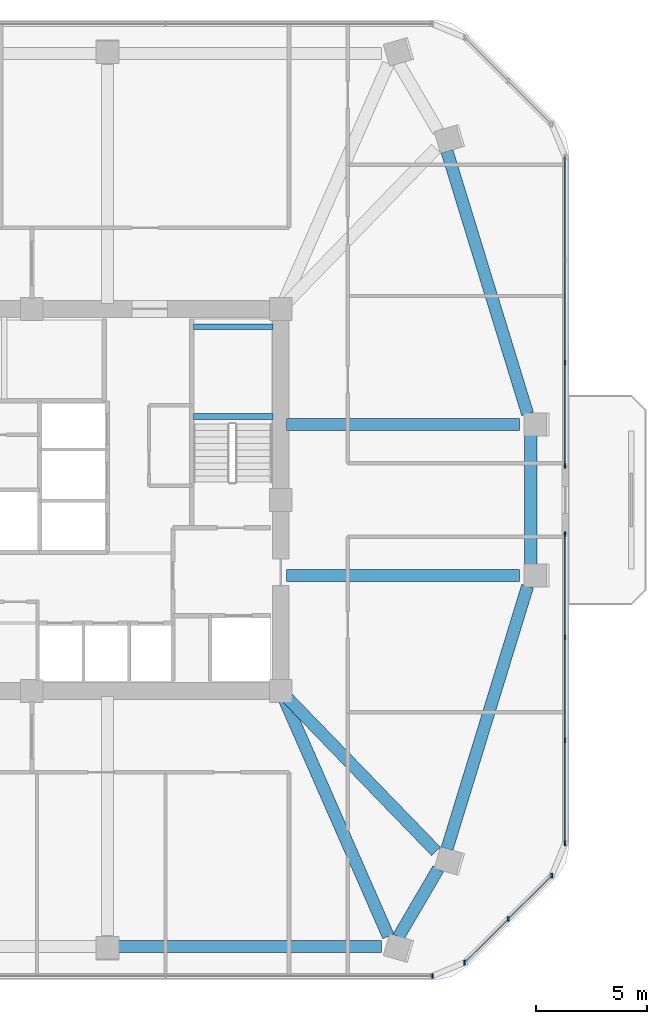
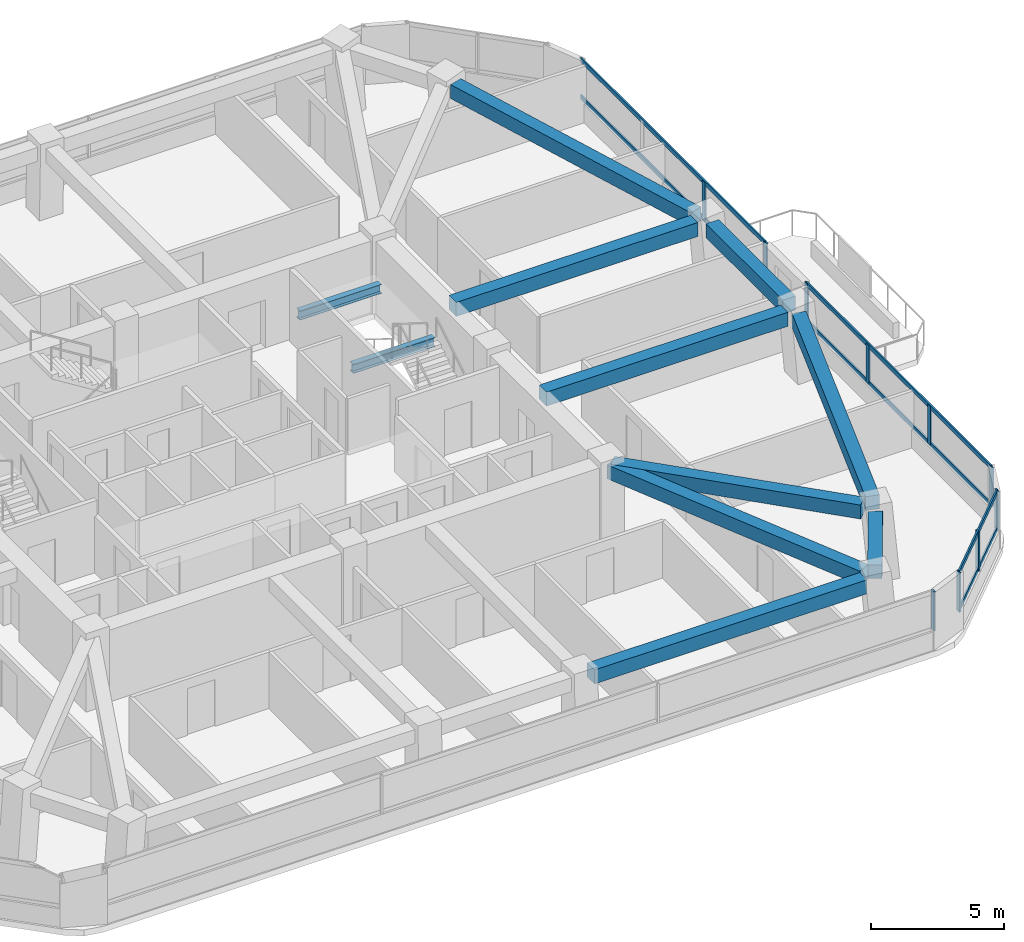
# One storey, part 5 of 14: 16 members, 11 beams, 4 elements without a shape of their own.
"""IFC4 building model written with IfcOpenShell, lengths in metres."""

from ifc_helpers import new_model, si_unit, derived_unit, direction, frame, origin, origin_2d, place, context, subcontext, project, spatial, rectangle, i_section, extrude, material, material_profile, profile_set, type_object, element, aggregate, save


model = new_model("IFC4")

# Units and contexts
model_context = context("Model", 3, precision=1e-05, world=origin(), true_north=direction((0.0, 1.0)))
body_context = subcontext(model_context, "Body", "Model", "MODEL_VIEW")
ifc_project = project(units=[si_unit("LENGTHUNIT", "METRE"), si_unit("AREAUNIT", "SQUARE_METRE"), si_unit("VOLUMEUNIT", "CUBIC_METRE"), si_unit("PLANEANGLEUNIT", "RADIAN"), si_unit("MASSUNIT", "GRAM", prefix="KILO"), derived_unit("THERMALTRANSMITTANCEUNIT", [(si_unit("POWERUNIT", "WATT"), 1), (si_unit("LENGTHUNIT", "METRE"), -2), (si_unit("THERMODYNAMICTEMPERATUREUNIT", "KELVIN"), -1)])], contexts=[model_context])

# Site, building, storey
site_placement = place(None, origin())
site = spatial("IfcSite", under=ifc_project, at=site_placement, CompositionType="ELEMENT")
building_placement = place(site_placement, origin())
building = spatial("IfcBuilding", under=site, at=building_placement, Name="Koralith Skygarden Medical Center", CompositionType="ELEMENT")
storey_placement = place(building_placement, frame((0.0, 0.0, 120.780029296875)))
storey = spatial("IfcBuildingStorey", under=building, at=storey_placement, Name="L31", CompositionType="ELEMENT", Elevation=120.780029296875)

# Curtain wall, member
ifc_material_1 = material(Name="Clear Laminated Glass", Category="glass")
curtain_wall_type = type_object("IfcCurtainWallType", Name="CW-3 Zone 2 Faceted Solar Curtain Wall", PredefinedType="NOTDEFINED", material=ifc_material_1)
curtain_wall_1_placement = place(storey_placement, origin())
curtain_wall_1 = element("IfcCurtainWall", 1, at=curtain_wall_1_placement, inside=storey, type_object=curtain_wall_type, Name="Curtain Wall CW-L31-S", PredefinedType="NOTDEFINED")
ifc_material_2 = material(Name="Aluminium 6063-T6", Category="aluminium")
ifc_material_profile_1 = material_profile(ifc_material_2, rectangle(XDim=0.073974609375, YDim=0.219970703125, at=origin_2d()), Name="MUL74X220")
ifc_profile_set_1 = profile_set([ifc_material_profile_1], Name="Aluminium 6063-T6")
member_type_1 = type_object("IfcMemberType", Name="CW-3 Extruded Mullion 74x220", PredefinedType="MULLION", material=ifc_profile_set_1)
member_1_placement = place(storey_placement, frame((55.02392578125, 4.47607421875, 0.849853515625), z_axis=(0.0, 0.0, 1.0), x_axis=(1.0, 0.0, 0.0)))
member_1 = element("IfcMember", 2, at=member_1_placement, type_object=member_type_1, Name="CW-L31-S Mullion 4", PredefinedType="MULLION", context=body_context, shape_type="SweptSolid", body=[
    extrude(rectangle(XDim=0.073974609375, YDim=0.219970703125, at=origin_2d()), origin(), (0.0, 0.0, 1.0), 1.800048828125),
])
aggregate(curtain_wall_1, [member_1])

# Curtain wall, members
curtain_wall_2_placement = place(storey_placement, origin())
curtain_wall_2 = element("IfcCurtainWall", 3, at=curtain_wall_2_placement, inside=storey, type_object=curtain_wall_type, Name="Curtain Wall CW-L31-SE", PredefinedType="NOTDEFINED")
member_2_placement = place(storey_placement, frame((56.47509765625, 5.077880859375, 0.849853515625), z_axis=(0.0, 0.0, 1.0), x_axis=(1.0, 0.0, 0.0)))
member_2 = element("IfcMember", 4, at=member_2_placement, type_object=member_type_1, Name="CW-L31-SE Mullion 1", PredefinedType="MULLION", context=body_context, shape_type="SweptSolid", body=[
    extrude(rectangle(XDim=0.073974609375, YDim=0.219970703125, at=origin_2d()), origin(), (0.0, 0.0, 1.0), 1.800048828125),
])
member_3_placement = place(storey_placement, frame((58.43701171875, 7.0400390625, 0.849853515625), z_axis=(0.0, 0.0, 1.0), x_axis=(1.0, 0.0, 0.0)))
member_3 = element("IfcMember", 5, at=member_3_placement, type_object=member_type_1, Name="CW-L31-SE Mullion 2", PredefinedType="MULLION", context=body_context, shape_type="SweptSolid", body=[
    extrude(rectangle(XDim=0.073974609375, YDim=0.219970703125, at=origin_2d()), origin(), (0.0, 0.0, 1.0), 1.800048828125),
])
member_4_placement = place(storey_placement, frame((60.39794921875, 9.0009765625, 0.849853515625), z_axis=(0.0, 0.0, 1.0), x_axis=(1.0, 0.0, 0.0)))
member_4 = element("IfcMember", 6, at=member_4_placement, type_object=member_type_1, Name="CW-L31-SE Mullion 3", PredefinedType="MULLION", context=body_context, shape_type="SweptSolid", body=[
    extrude(rectangle(XDim=0.073974609375, YDim=0.219970703125, at=origin_2d()), origin(), (0.0, 0.0, 1.0), 1.800048828125),
])

curtain_wall_3_placement = place(storey_placement, origin())
curtain_wall_3 = element("IfcCurtainWall", 7, at=curtain_wall_3_placement, inside=storey, type_object=curtain_wall_type, Name="Curtain Wall CW-L31-E-L", PredefinedType="NOTDEFINED")
member_5_placement = place(storey_placement, frame((60.9990234375, 10.451904296875, 0.849853515625), z_axis=(0.0, 0.0, 1.0), x_axis=(1.0, 0.0, 0.0)))
member_5 = element("IfcMember", 8, at=member_5_placement, type_object=member_type_1, Name="CW-L31-E-L Mullion 1", PredefinedType="MULLION", context=body_context, shape_type="SweptSolid", body=[
    extrude(rectangle(XDim=0.073974609375, YDim=0.219970703125, at=origin_2d()), origin(), (0.0, 0.0, 1.0), 1.800048828125),
])
member_6_placement = place(storey_placement, frame((60.9990234375, 15.087890625, 0.849853515625), z_axis=(0.0, 0.0, 1.0), x_axis=(1.0, 0.0, 0.0)))
member_6 = element("IfcMember", 9, at=member_6_placement, type_object=member_type_1, Name="CW-L31-E-L Mullion 2", PredefinedType="MULLION", context=body_context, shape_type="SweptSolid", body=[
    extrude(rectangle(XDim=0.073974609375, YDim=0.219970703125, at=origin_2d()), origin(), (0.0, 0.0, 1.0), 1.800048828125),
])
member_7_placement = place(storey_placement, frame((60.9990234375, 19.72412109375, 0.849853515625), z_axis=(0.0, 0.0, 1.0), x_axis=(1.0, 0.0, 0.0)))
member_7 = element("IfcMember", 10, at=member_7_placement, type_object=member_type_1, Name="CW-L31-E-L Mullion 3", PredefinedType="MULLION", context=body_context, shape_type="SweptSolid", body=[
    extrude(rectangle(XDim=0.073974609375, YDim=0.219970703125, at=origin_2d()), origin(), (0.0, 0.0, 1.0), 1.800048828125),
])
member_8_placement = place(storey_placement, frame((60.9990234375, 24.360107421875, 0.849853515625), z_axis=(0.0, 0.0, 1.0), x_axis=(1.0, 0.0, 0.0)))
member_8 = element("IfcMember", 11, at=member_8_placement, type_object=member_type_1, Name="CW-L31-E-L Mullion 4", PredefinedType="MULLION", context=body_context, shape_type="SweptSolid", body=[
    extrude(rectangle(XDim=0.073974609375, YDim=0.219970703125, at=origin_2d()), origin(), (0.0, 0.0, 1.0), 1.800048828125),
])

curtain_wall_4_placement = place(storey_placement, origin())
curtain_wall_4 = element("IfcCurtainWall", 12, at=curtain_wall_4_placement, inside=storey, type_object=curtain_wall_type, Name="Curtain Wall CW-L31-E-R", PredefinedType="NOTDEFINED")
member_9_placement = place(storey_placement, frame((60.9990234375, 27.43994140625, 0.849853515625), z_axis=(0.0, 0.0, 1.0), x_axis=(1.0, 0.0, 0.0)))
member_9 = element("IfcMember", 13, at=member_9_placement, type_object=member_type_1, Name="CW-L31-E-R Mullion 1", PredefinedType="MULLION", context=body_context, shape_type="SweptSolid", body=[
    extrude(rectangle(XDim=0.073974609375, YDim=0.219970703125, at=origin_2d()), origin(), (0.0, 0.0, 1.0), 1.800048828125),
])
member_10_placement = place(storey_placement, frame((60.9990234375, 32.075927734375, 0.849853515625), z_axis=(0.0, 0.0, 1.0), x_axis=(1.0, 0.0, 0.0)))
member_10 = element("IfcMember", 14, at=member_10_placement, type_object=member_type_1, Name="CW-L31-E-R Mullion 2", PredefinedType="MULLION", context=body_context, shape_type="SweptSolid", body=[
    extrude(rectangle(XDim=0.073974609375, YDim=0.219970703125, at=origin_2d()), origin(), (0.0, 0.0, 1.0), 1.800048828125),
])

# Member
ifc_material_profile_2 = material_profile(ifc_material_2, rectangle(XDim=0.069091796875, YDim=0.197998046875, at=origin_2d()), Name="TRN69X198")
ifc_profile_set_2 = profile_set([ifc_material_profile_2], Name="Aluminium 6063-T6")
member_type_2 = type_object("IfcMemberType", Name="CW-3 Thermal Transom 69x198", PredefinedType="USERDEFINED", material=ifc_profile_set_2)
member_11_placement = place(storey_placement, frame((56.47509765625, 5.077880859375, 0.89990234375), z_axis=(0.707084777957, 0.707128783731, 0.0), x_axis=(-0.707128783731, 0.707084777957, 0.0)))
member_11 = element("IfcMember", 15, at=member_11_placement, type_object=member_type_2, Name="CW-L31-SE Transom 1", ObjectType="TRANSOM", PredefinedType="USERDEFINED", context=body_context, shape_type="SweptSolid", body=[
    extrude(rectangle(XDim=0.069091796875, YDim=0.197998046875, at=origin_2d()), origin(), (0.0, 0.0, 1.0), 5.5478515625),
])

member_12_placement = place(storey_placement, frame((56.47509765625, 5.077880859375, 2.599853515625), z_axis=(0.707084777957, 0.707128783731, 0.0), x_axis=(-0.707128783731, 0.707084777957, 0.0)))
member_12 = element("IfcMember", 16, at=member_12_placement, type_object=member_type_2, Name="CW-L31-SE Transom 2", ObjectType="TRANSOM", PredefinedType="USERDEFINED", context=body_context, shape_type="SweptSolid", body=[
    extrude(rectangle(XDim=0.069091796875, YDim=0.197998046875, at=origin_2d()), origin(), (0.0, 0.0, 1.0), 5.5478515625),
])

aggregate(curtain_wall_2, [member_2, member_3, member_4, member_11, member_12])

member_13_placement = place(storey_placement, frame((60.9990234375, 10.451904296875, 0.89990234375), z_axis=(0.0, 1.0, 0.0), x_axis=(-1.0, 0.0, 0.0)))
member_13 = element("IfcMember", 17, at=member_13_placement, type_object=member_type_2, Name="CW-L31-E-L Transom 1", ObjectType="TRANSOM", PredefinedType="USERDEFINED", context=body_context, shape_type="SweptSolid", body=[
    extrude(rectangle(XDim=0.069091796875, YDim=0.197998046875, at=origin_2d()), origin(), (0.0, 0.0, 1.0), 13.908203125),
])

member_14_placement = place(storey_placement, frame((60.9990234375, 10.451904296875, 2.599853515625), z_axis=(0.0, 1.0, 0.0), x_axis=(-1.0, 0.0, 0.0)))
member_14 = element("IfcMember", 18, at=member_14_placement, type_object=member_type_2, Name="CW-L31-E-L Transom 2", ObjectType="TRANSOM", PredefinedType="USERDEFINED", context=body_context, shape_type="SweptSolid", body=[
    extrude(rectangle(XDim=0.069091796875, YDim=0.197998046875, at=origin_2d()), origin(), (0.0, 0.0, 1.0), 13.908203125),
])

aggregate(curtain_wall_3, [member_5, member_6, member_7, member_8, member_13, member_14])

member_15_placement = place(storey_placement, frame((60.9990234375, 27.43994140625, 0.89990234375), z_axis=(0.0, 1.0, 0.0), x_axis=(-1.0, 0.0, 0.0)))
member_15 = element("IfcMember", 19, at=member_15_placement, type_object=member_type_2, Name="CW-L31-E-R Transom 1", ObjectType="TRANSOM", PredefinedType="USERDEFINED", context=body_context, shape_type="SweptSolid", body=[
    extrude(rectangle(XDim=0.069091796875, YDim=0.197998046875, at=origin_2d()), origin(), (0.0, 0.0, 1.0), 13.907958984375),
])

member_16_placement = place(storey_placement, frame((60.9990234375, 27.43994140625, 2.599853515625), z_axis=(0.0, 1.0, 0.0), x_axis=(-1.0, 0.0, 0.0)))
member_16 = element("IfcMember", 20, at=member_16_placement, type_object=member_type_2, Name="CW-L31-E-R Transom 2", ObjectType="TRANSOM", PredefinedType="USERDEFINED", context=body_context, shape_type="SweptSolid", body=[
    extrude(rectangle(XDim=0.069091796875, YDim=0.197998046875, at=origin_2d()), origin(), (0.0, 0.0, 1.0), 13.907958984375),
])

aggregate(curtain_wall_4, [member_9, member_10, member_15, member_16])

# Beams
ifc_material_3 = material(Name="Steel ASTM A992 Grade 50", Category="steel")
ifc_material_profile_3 = material_profile(ifc_material_3, i_section(OverallWidth=0.260009765625, OverallDepth=0.4150390625, WebThickness=0.010009765625, FlangeThickness=0.016845703125, at=origin_2d()), Name="W16X67")
ifc_profile_set_3 = profile_set([ifc_material_profile_3], Name="Steel ASTM A992 Grade 50")
beam_type_1 = type_object("IfcBeamType", Name="Clinical Floor Joist W16X67", PredefinedType="JOIST", material=ifc_profile_set_3)
for number, where, z_axis, x_axis, name in (
    (21, (44.280029296875, 29.659912109375, 1.39208984375), (1.0, 0.0, 0.0), (0.0, 1.0, 0.0), "L31 Stair ST2 Half-Landing Support Beam 1A"),
    (22, (44.280029296875, 33.699951171875, 1.39208984375), (1.0, 0.0, 0.0), (0.0, 1.0, 0.0), "L31 Stair ST2 Half-Landing Support Beam 1B"),
):
    element("IfcBeam", number, at=place(storey_placement, frame(where, z_axis=z_axis, x_axis=x_axis)), inside=storey, type_object=beam_type_1, Name=name, PredefinedType="JOIST", context=body_context, shape_type="SweptSolid", body=[
        extrude(i_section(OverallWidth=0.260009765625, OverallDepth=0.4150390625, WebThickness=0.010009765625, FlangeThickness=0.016845703125, at=origin_2d()), origin(), (0.0, 0.0, 1.0), 3.56494140625),
    ])
ifc_material_4 = material(Name="Concrete C45/55", Category="concrete")
ifc_material_profile_4 = material_profile(ifc_material_4, rectangle(XDim=0.550048828125, YDim=0.639892578125, at=origin_2d()), Name="RCB550X640")
ifc_profile_set_4 = profile_set([ifc_material_profile_4], Name="Concrete C45/55")
beam_type_2 = type_object("IfcBeamType", Name="Radial Collector Beam RCB550X640", PredefinedType="BEAM", material=ifc_profile_set_4)
beam_1_placement = place(storey_placement, frame((48.300048828125, 17.071044921875, 2.97998046875), z_axis=(0.401910120332, -0.915679122387, 0.0), x_axis=(0.915679122387, 0.401910120332, 0.0)))
element("IfcBeam", 23, at=beam_1_placement, inside=storey, type_object=beam_type_2, Name="L31 Radial Collector Beam RB-06", PredefinedType="BEAM", context=body_context, shape_type="SweptSolid", body=[
    extrude(rectangle(XDim=0.550048828125, YDim=0.639892578125, at=origin_2d()), origin(), (0.0, 0.0, 1.0), 11.803466796875),
])
beam_2_placement = place(storey_placement, frame((48.3740234375, 17.1201171875, 2.97998046875), z_axis=(0.695726103681, -0.718307168736, 0.0), x_axis=(0.718307168736, 0.695726103681, 0.0)))
element("IfcBeam", 24, at=beam_2_placement, inside=storey, type_object=beam_type_2, Name="L31 Radial Collector Beam RB-07", PredefinedType="BEAM", context=body_context, shape_type="SweptSolid", body=[
    extrude(rectangle(XDim=0.550048828125, YDim=0.639892578125, at=origin_2d()), origin(), (0.0, 0.0, 1.0), 9.79541015625),
])
for number, where, z_axis, x_axis, name in (
    (25, (48.449951171875, 22.5, 2.97998046875), (1.0, 0.0, 0.0), (0.0, 1.0, 0.0), "L31 Radial Collector Beam RB-08"),
    (26, (48.449951171875, 29.300048828125, 2.97998046875), (1.0, 0.0, 0.0), (0.0, 1.0, 0.0), "L31 Radial Collector Beam RB-09"),
):
    element("IfcBeam", number, at=place(storey_placement, frame(where, z_axis=z_axis, x_axis=x_axis)), inside=storey, type_object=beam_type_2, Name=name, PredefinedType="BEAM", context=body_context, shape_type="SweptSolid", body=[
        extrude(rectangle(XDim=0.550048828125, YDim=0.639892578125, at=origin_2d()), origin(), (0.0, 0.0, 1.0), 10.507080078125),
    ])
ifc_material_profile_5 = material_profile(ifc_material_4, rectangle(XDim=0.550048828125, YDim=0.639892578125, at=origin_2d()), Name="RCB550X640")
ifc_profile_set_5 = profile_set([ifc_material_profile_5], Name="Concrete C45/55")
beam_type_3 = type_object("IfcBeamType", Name="Zone 2-3 Spandrel Beam RCB550X640", PredefinedType="SPANDREL", material=ifc_profile_set_5)
beam_3_placement = place(storey_placement, frame((40.89990234375, 5.804931640625, 2.97998046875), z_axis=(1.0, 0.0, 0.0), x_axis=(0.0, 1.0, 0.0)))
element("IfcBeam", 27, at=beam_3_placement, inside=storey, type_object=beam_type_3, Name="L31 Perimeter Spandrel Beam SP-05", PredefinedType="SPANDREL", context=body_context, shape_type="SweptSolid", body=[
    extrude(rectangle(XDim=0.550048828125, YDim=0.639892578125, at=origin_2d()), origin(), (0.0, 0.0, 1.0), 11.84521484375),
])
beam_4_placement = place(storey_placement, frame((53.4970703125, 6.237060546875, 2.97998046875), z_axis=(0.504972499237, 0.863135432603, 0.0), x_axis=(-0.863135432603, 0.504972499237, 0.0)))
element("IfcBeam", 28, at=beam_4_placement, inside=storey, type_object=beam_type_3, Name="L31 Perimeter Spandrel Beam SP-06", PredefinedType="SPANDREL", context=body_context, shape_type="SweptSolid", body=[
    extrude(rectangle(XDim=0.550048828125, YDim=0.639892578125, at=origin_2d()), origin(), (0.0, 0.0, 1.0), 3.54052734375),
])
beam_5_placement = place(storey_placement, frame((55.68408203125, 10.202880859375, 2.97998046875), z_axis=(0.293297536124, 0.956021210698, 0.0), x_axis=(-0.956021210698, 0.293297536124, 0.0)))
element("IfcBeam", 29, at=beam_5_placement, inside=storey, type_object=beam_type_3, Name="L31 Perimeter Spandrel Beam SP-07", PredefinedType="SPANDREL", context=body_context, shape_type="SweptSolid", body=[
    extrude(rectangle(XDim=0.550048828125, YDim=0.639892578125, at=origin_2d()), origin(), (0.0, 0.0, 1.0), 12.36279296875),
])
beam_6_placement = place(storey_placement, frame((59.45703125, 23.0, 2.97998046875), z_axis=(0.0, 1.0, 0.0), x_axis=(-1.0, 0.0, 0.0)))
element("IfcBeam", 30, at=beam_6_placement, inside=storey, type_object=beam_type_3, Name="L31 Perimeter Spandrel Beam SP-08", PredefinedType="SPANDREL", context=body_context, shape_type="SweptSolid", body=[
    extrude(rectangle(XDim=0.550048828125, YDim=0.639892578125, at=origin_2d()), origin(), (0.0, 0.0, 1.0), 5.800048828125),
])
beam_7_placement = place(storey_placement, frame((59.31005859375, 29.778076171875, 2.97998046875), z_axis=(-0.293303073541, 0.956019511857, 0.0), x_axis=(-0.956019511857, -0.293303073541, 0.0)))
element("IfcBeam", 31, at=beam_7_placement, inside=storey, type_object=beam_type_3, Name="L31 Perimeter Spandrel Beam SP-09", PredefinedType="SPANDREL", context=body_context, shape_type="SweptSolid", body=[
    extrude(rectangle(XDim=0.550048828125, YDim=0.639892578125, at=origin_2d()), origin(), (0.0, 0.0, 1.0), 12.362548828125),
])

save(model, "model.ifc")
